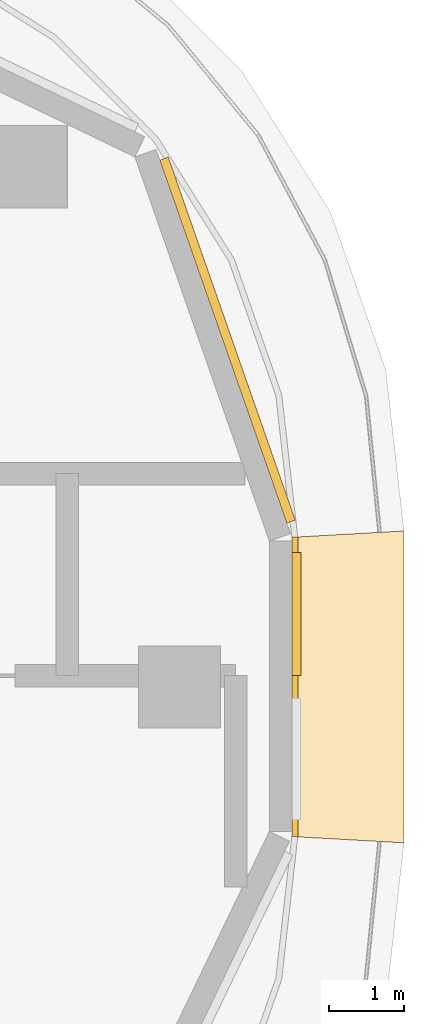
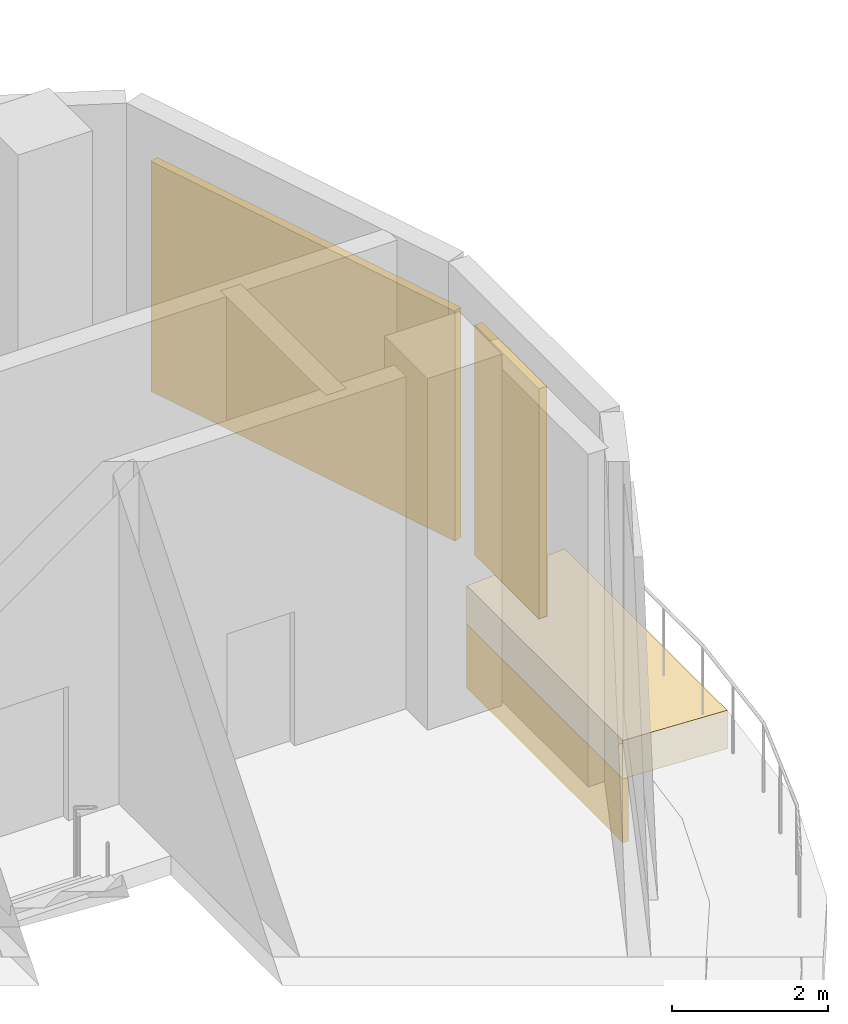
# One storey, part 18 of 18: 2 coverings, 2 shading devices.
"""IFC4 building model written with IfcOpenShell, lengths in metres."""

from ifc_helpers import new_model, si_unit, direction, frame, origin, origin_2d, place, context, subcontext, project, spatial, polyline, rectangle, outline, extrude, material, layer, layer_set, type_object, element, save


model = new_model("IFC4")

# Units and contexts
model_context = context("Model", 3, precision=1e-05, world=origin(), true_north=direction((0.0, 1.0)))
body_context = subcontext(model_context, "Body", "Model", "MODEL_VIEW")
ifc_project = project(units=[si_unit("LENGTHUNIT", "METRE"), si_unit("AREAUNIT", "SQUARE_METRE"), si_unit("VOLUMEUNIT", "CUBIC_METRE"), si_unit("PLANEANGLEUNIT", "RADIAN"), si_unit("MASSUNIT", "GRAM", prefix="KILO")], contexts=[model_context])

# Site, building, storey
site_placement = place(None, origin())
site = spatial("IfcSite", under=ifc_project, at=site_placement, CompositionType="ELEMENT")
building_placement = place(site_placement, origin())
building = spatial("IfcBuilding", under=site, at=building_placement, Name="Ogive Portal Towers", CompositionType="ELEMENT")
storey_placement = place(building_placement, frame((0.0, 0.0, 190.300048828125)))
storey = spatial("IfcBuildingStorey", under=building, at=storey_placement, Name="L47", CompositionType="ELEMENT", Elevation=190.300048828125)

# Shading devices
ifc_material_1 = material(Name="Aluminium 6063 anodised", Category="aluminium")
ifc_layer_1 = layer(ifc_material_1, 0.1201171875)
ifc_layer_set_1 = layer_set([ifc_layer_1], Name="LOUVRE BANK ALUMINIUM")
shading_device_type = type_object("IfcShadingDeviceType", Name="LOUVRE BANK ALUMINIUM", PredefinedType="USERDEFINED", material=ifc_layer_set_1)
shading_device_1_placement = place(storey_placement, frame((96.06005859375, 31.474609375, 0.599853515625), z_axis=(0.0, 0.0, 1.0), x_axis=(0.0, 1.0, 0.0)))
element("IfcShadingDevice", 1, at=shading_device_1_placement, inside=storey, type_object=shading_device_type, Name="Louvre bank 2", ObjectType="LOUVRE", PredefinedType="USERDEFINED", context=body_context, shape_type="SweptSolid", body=[
    extrude(rectangle(XDim=1.64892578125, YDim=0.1201171875, at=origin_2d()), origin(), (0.0, 0.0, 1.0), 3.60009765625),
])
shading_device_2_placement = place(storey_placement, frame((95.1416015625, 35.135009765625, 0.599853515625), z_axis=(0.0, 0.0, 1.0), x_axis=(-0.33027906196, 0.943883330307, 0.0)))
element("IfcShadingDevice", 2, at=shading_device_2_placement, inside=storey, type_object=shading_device_type, Name="Louvre bank 1", ObjectType="LOUVRE", PredefinedType="USERDEFINED", context=body_context, shape_type="SweptSolid", body=[
    extrude(rectangle(XDim=5.139404296875, YDim=0.1201171875, at=origin_2d()), origin(), (0.0, 0.0, 1.0), 3.60009765625),
])

# Coverings
ifc_material_2 = material(Name="Limestone cladding on lightweight block wall", Category="masonry")
ifc_layer_2 = layer(ifc_material_2, 0.080078125)
ifc_layer_set_2 = layer_set([ifc_layer_2], Name="STONE SPANDREL 80")
covering_type_1 = type_object("IfcCoveringType", Name="STONE SPANDREL 80", PredefinedType="CLADDING", material=ifc_layer_set_2)
covering_1_placement = place(storey_placement, frame((0.0, 0.0, -1.60009765625)))
element("IfcCovering", 3, at=covering_1_placement, inside=storey, type_object=covering_type_1, Name="Stone spandrel A1-F07", PredefinedType="CLADDING", context=body_context, shape_type="SweptSolid", body=[
    extrude(outline(polyline([(96.0, 28.5), (96.0, 32.5), (96.080078125, 32.50439453125), (96.080078125, 28.49560546875), (96.0, 28.5)])), origin(), (0.0, 0.0, 1.0), 1.0),
])
ifc_layer_3 = layer(ifc_material_2, 0.60009765625)
ifc_layer_set_3 = layer_set([ifc_layer_3], Name="SUNSHADE LIP 600")
covering_type_2 = type_object("IfcCoveringType", Name="SUNSHADE LIP 600", PredefinedType="CLADDING", material=ifc_layer_set_3)
covering_2_placement = place(storey_placement, frame((0.0, 0.0, -0.60009765625)))
element("IfcCovering", 4, at=covering_2_placement, inside=storey, type_object=covering_type_2, Name="Sunshade lip A1-F07", PredefinedType="CLADDING", context=body_context, shape_type="SweptSolid", body=[
    extrude(outline(polyline([(96.0, 28.5), (96.0, 32.5), (97.5, 32.584228515625), (97.5, 28.415771484375), (96.0, 28.5)])), origin(), (0.0, 0.0, 1.0), 0.60009765625),
])

save(model, "model.ifc")
